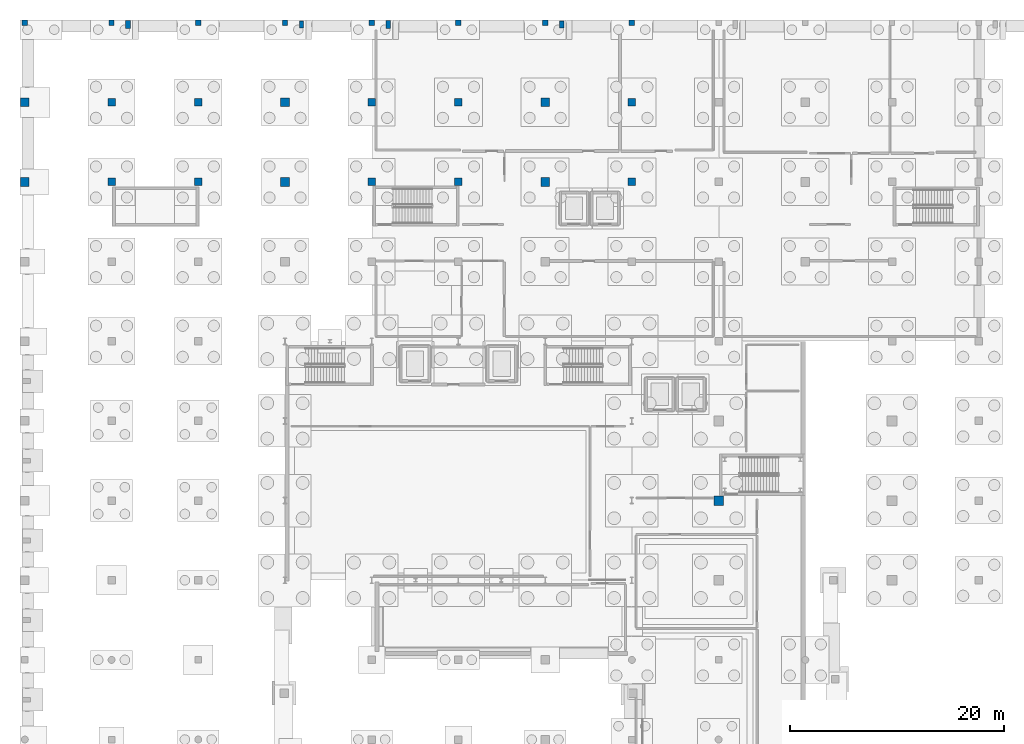
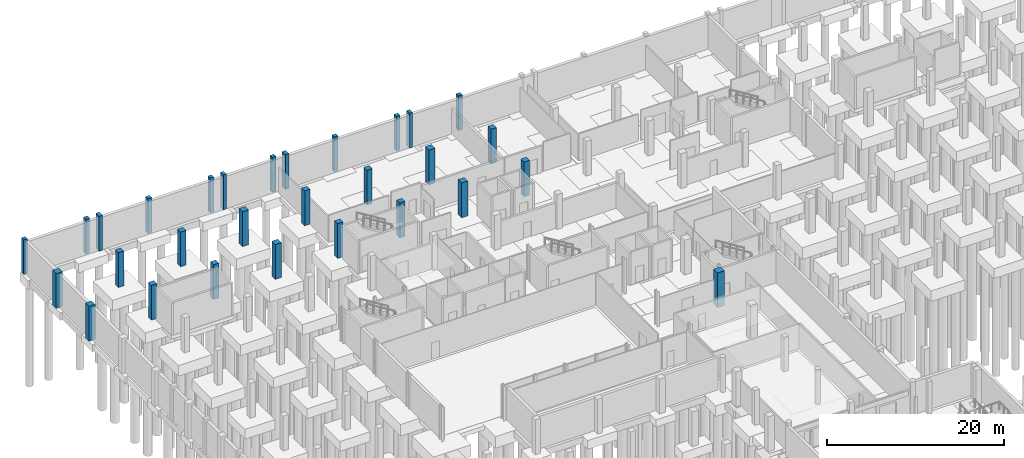
# One storey, part 20 of 37: 29 columns.
"""IFC4 building model written with IfcOpenShell, lengths in metres."""

from ifc_helpers import new_model, si_unit, direction, frame, origin, origin_2d, place, context, subcontext, project, spatial, rectangle, extrude, material, material_profile, profile_set, type_object, element, save


model = new_model("IFC4")

# Units and contexts
model_context = context("Model", 3, precision=1e-05, world=origin(), true_north=direction((0.0, 1.0)))
body_context = subcontext(model_context, "Body", "Model", "MODEL_VIEW")
ifc_project = project(units=[si_unit("LENGTHUNIT", "METRE"), si_unit("AREAUNIT", "SQUARE_METRE"), si_unit("VOLUMEUNIT", "CUBIC_METRE"), si_unit("PLANEANGLEUNIT", "RADIAN"), si_unit("MASSUNIT", "GRAM", prefix="KILO")], contexts=[model_context])

# Site, building, storey
site_placement = place(None, origin())
site = spatial("IfcSite", under=ifc_project, at=site_placement, CompositionType="ELEMENT")
building_placement = place(site_placement, origin())
building = spatial("IfcBuilding", under=site, at=building_placement, Name="Kaelora Sail Theatre", CompositionType="ELEMENT")
storey_placement = place(building_placement, frame((0.0, 0.0, -4.800048828125)))
storey = spatial("IfcBuildingStorey", under=building, at=storey_placement, Name="B1", CompositionType="ELEMENT", Elevation=-4.800048828125)

# Columns
ifc_material_1 = material(Name="Concrete C40/50", Category="concrete")
ifc_material_profile_1 = material_profile(ifc_material_1, rectangle(XDim=0.5, YDim=0.5, at=origin_2d()), Name="RC-COL 500x500")
ifc_profile_set_1 = profile_set([ifc_material_profile_1], Name="Concrete C40/50")
column_type_1 = type_object("IfcColumnType", Name="STR-COL-C-RC500", PredefinedType="COLUMN", material=ifc_profile_set_1)
for number, where, z_axis, x_axis, name in (
    (1, (1.5, 113.10009765625, 0.0), (0.0, 0.0, 1.0), (1.0, 0.0, 0.0), "Column 1/P (B1)"),
    (2, (9.60009765625, 113.10009765625, 0.0), (0.0, 0.0, 1.0), (1.0, 0.0, 0.0), "Column 2/P (B1)"),
    (3, (17.699951171875, 113.10009765625, 0.0), (0.0, 0.0, 1.0), (1.0, 0.0, 0.0), "Column 3/P (B1)"),
    (4, (25.800048828125, 113.10009765625, 0.0), (0.0, 0.0, 1.0), (1.0, 0.0, 0.0), "Column 4/P (B1)"),
    (5, (33.89990234375, 113.10009765625, 0.0), (0.0, 0.0, 1.0), (1.0, 0.0, 0.0), "Column 5/P (B1)"),
    (6, (42.0, 113.10009765625, 0.0), (0.0, 0.0, 1.0), (1.0, 0.0, 0.0), "Column 6/P (B1)"),
    (7, (50.10009765625, 113.10009765625, 0.0), (0.0, 0.0, 1.0), (1.0, 0.0, 0.0), "Column 7/P (B1)"),
    (8, (58.199951171875, 113.10009765625, 0.0), (0.0, 0.0, 1.0), (1.0, 0.0, 0.0), "Column 8/P (B1)"),
):
    element("IfcColumn", number, at=place(storey_placement, frame(where, z_axis=z_axis, x_axis=x_axis)), inside=storey, type_object=column_type_1, Name=name, PredefinedType="COLUMN", context=body_context, shape_type="SweptSolid", body=[
        extrude(rectangle(XDim=0.5, YDim=0.5, at=origin_2d()), origin(), (0.0, 0.0, 1.0), 4.800048828125),
    ])
ifc_material_2 = material(Name="Concrete C45/55", Category="concrete")
ifc_material_profile_2 = material_profile(ifc_material_2, rectangle(XDim=0.699951171875, YDim=0.699951171875, at=origin_2d()), Name="RC-COL 700x700")
ifc_profile_set_2 = profile_set([ifc_material_profile_2], Name="Concrete C45/55")
column_type_2 = type_object("IfcColumnType", Name="STR-COL-C-RC700", PredefinedType="COLUMN", material=ifc_profile_set_2)
for number, where, z_axis, x_axis, name in (
    (9, (9.60009765625, 98.219970703125, 0.0), (0.0, 0.0, 1.0), (1.0, 0.0, 0.0), "Column 2/N (B1)"),
    (10, (9.60009765625, 105.659912109375, 0.0), (0.0, 0.0, 1.0), (1.0, 0.0, 0.0), "Column 2/O (B1)"),
    (11, (17.699951171875, 98.219970703125, 0.0), (0.0, 0.0, 1.0), (1.0, 0.0, 0.0), "Column 3/N (B1)"),
    (12, (17.699951171875, 105.659912109375, 0.0), (0.0, 0.0, 1.0), (1.0, 0.0, 0.0), "Column 3/O (B1)"),
    (13, (33.89990234375, 98.219970703125, 0.0), (0.0, 0.0, 1.0), (1.0, 0.0, 0.0), "Column 5/N (B1)"),
    (14, (33.89990234375, 105.659912109375, 0.0), (0.0, 0.0, 1.0), (1.0, 0.0, 0.0), "Column 5/O (B1)"),
    (15, (42.0, 98.219970703125, 0.0), (0.0, 0.0, 1.0), (1.0, 0.0, 0.0), "Column 6/N (B1)"),
    (16, (42.0, 105.659912109375, 0.0), (0.0, 0.0, 1.0), (1.0, 0.0, 0.0), "Column 6/O (B1)"),
    (17, (58.199951171875, 98.219970703125, 0.0), (0.0, 0.0, 1.0), (1.0, 0.0, 0.0), "Column 8/N (B1)"),
    (18, (58.199951171875, 105.659912109375, 0.0), (0.0, 0.0, 1.0), (1.0, 0.0, 0.0), "Column 8/O (B1)"),
):
    element("IfcColumn", number, at=place(storey_placement, frame(where, z_axis=z_axis, x_axis=x_axis)), inside=storey, type_object=column_type_2, Name=name, PredefinedType="COLUMN", context=body_context, shape_type="SweptSolid", body=[
        extrude(rectangle(XDim=0.699951171875, YDim=0.699951171875, at=origin_2d()), origin(), (0.0, 0.0, 1.0), 4.800048828125),
    ])
ifc_material_3 = material(Name="Concrete C50/60", Category="concrete")
ifc_material_profile_3 = material_profile(ifc_material_3, rectangle(XDim=0.800048828125, YDim=0.800048828125, at=origin_2d()), Name="RC-COL 800x800")
ifc_profile_set_3 = profile_set([ifc_material_profile_3], Name="Concrete C50/60")
column_type_3 = type_object("IfcColumnType", Name="STR-COL-C-RC800", PredefinedType="COLUMN", material=ifc_profile_set_3)
for number, where, z_axis, x_axis, name in (
    (19, (1.5, 98.219970703125, 0.0), (0.0, 0.0, 1.0), (1.0, 0.0, 0.0), "Column 1/N (B1)"),
    (20, (1.5, 105.659912109375, 0.0), (0.0, 0.0, 1.0), (1.0, 0.0, 0.0), "Column 1/O (B1)"),
    (21, (25.800048828125, 98.219970703125, 0.0), (0.0, 0.0, 1.0), (1.0, 0.0, 0.0), "Column 4/N (B1)"),
    (22, (25.800048828125, 105.659912109375, 0.0), (0.0, 0.0, 1.0), (1.0, 0.0, 0.0), "Column 4/O (B1)"),
    (23, (50.10009765625, 98.219970703125, 0.0), (0.0, 0.0, 1.0), (1.0, 0.0, 0.0), "Column 7/N (B1)"),
    (24, (50.10009765625, 105.659912109375, 0.0), (0.0, 0.0, 1.0), (1.0, 0.0, 0.0), "Column 7/O (B1)"),
):
    element("IfcColumn", number, at=place(storey_placement, frame(where, z_axis=z_axis, x_axis=x_axis)), inside=storey, type_object=column_type_3, Name=name, PredefinedType="COLUMN", context=body_context, shape_type="SweptSolid", body=[
        extrude(rectangle(XDim=0.800048828125, YDim=0.800048828125, at=origin_2d()), origin(), (0.0, 0.0, 1.0), 4.800048828125),
    ])
ifc_material_4 = material(Name="Concrete C50/60", Category="concrete")
ifc_material_profile_4 = material_profile(ifc_material_4, rectangle(XDim=0.89990234375, YDim=0.89990234375, at=origin_2d()), Name="RC-COL 900x900")
ifc_profile_set_4 = profile_set([ifc_material_profile_4], Name="Concrete C50/60")
column_type_4 = type_object("IfcColumnType", Name="STR-COL-C-RC900", PredefinedType="COLUMN", material=ifc_profile_set_4)
column_placement = place(storey_placement, frame((66.300048828125, 68.4599609375, 0.0), z_axis=(0.0, 0.0, 1.0), x_axis=(1.0, 0.0, 0.0)))
element("IfcColumn", 25, at=column_placement, inside=storey, type_object=column_type_4, Name="Column 9/J (B1)", PredefinedType="COLUMN", context=body_context, shape_type="SweptSolid", body=[
    extrude(rectangle(XDim=0.89990234375, YDim=0.89990234375, at=origin_2d()), origin(), (0.0, 0.0, 1.0), 4.800048828125),
])
ifc_material_5 = material(Name="Precast concrete C45/55", Category="concrete")
ifc_material_profile_5 = material_profile(ifc_material_5, rectangle(XDim=0.39990234375, YDim=0.64990234375, at=origin_2d()), Name="RC-PIL 400x650")
ifc_profile_set_5 = profile_set([ifc_material_profile_5], Name="Precast concrete C45/55")
column_type_5 = type_object("IfcColumnType", Name="STR-COL-PL-RC4065", PredefinedType="PILASTER", material=ifc_profile_set_5)
for number, where, z_axis, x_axis, name in (
    (26, (27.35009765625, 112.949951171875, 0.0), (0.0, 0.0, 1.0), (1.0, 0.0, 0.0), "Postmodern terracotta precast pilaster B1 N02"),
    (27, (51.64990234375, 112.949951171875, 0.0), (0.0, 0.0, 1.0), (1.0, 0.0, 0.0), "Postmodern terracotta precast pilaster B1 N04"),
):
    element("IfcColumn", number, at=place(storey_placement, frame(where, z_axis=z_axis, x_axis=x_axis)), inside=storey, type_object=column_type_5, Name=name, PredefinedType="PILASTER", context=body_context, shape_type="SweptSolid", body=[
        extrude(rectangle(XDim=0.39990234375, YDim=0.64990234375, at=origin_2d()), origin(), (0.0, 0.0, 1.0), 4.800048828125),
    ])
ifc_material_6 = material(Name="Precast concrete C45/55", Category="concrete")
ifc_material_profile_6 = material_profile(ifc_material_6, rectangle(XDim=0.449951171875, YDim=0.75, at=origin_2d()), Name="RC-PIL 450x750")
ifc_profile_set_6 = profile_set([ifc_material_profile_6], Name="Precast concrete C45/55")
column_type_6 = type_object("IfcColumnType", Name="STR-COL-PL-RC4575", PredefinedType="PILASTER", material=ifc_profile_set_6)
for number, where, z_axis, x_axis, name in (
    (28, (11.14990234375, 112.949951171875, 0.0), (0.0, 0.0, 1.0), (1.0, 0.0, 0.0), "Postmodern terracotta precast pilaster B1 N01"),
    (29, (35.449951171875, 112.949951171875, 0.0), (0.0, 0.0, 1.0), (1.0, 0.0, 0.0), "Postmodern terracotta precast pilaster B1 N03"),
):
    element("IfcColumn", number, at=place(storey_placement, frame(where, z_axis=z_axis, x_axis=x_axis)), inside=storey, type_object=column_type_6, Name=name, PredefinedType="PILASTER", context=body_context, shape_type="SweptSolid", body=[
        extrude(rectangle(XDim=0.449951171875, YDim=0.75, at=origin_2d()), origin(), (0.0, 0.0, 1.0), 4.800048828125),
    ])

save(model, "model.ifc")
